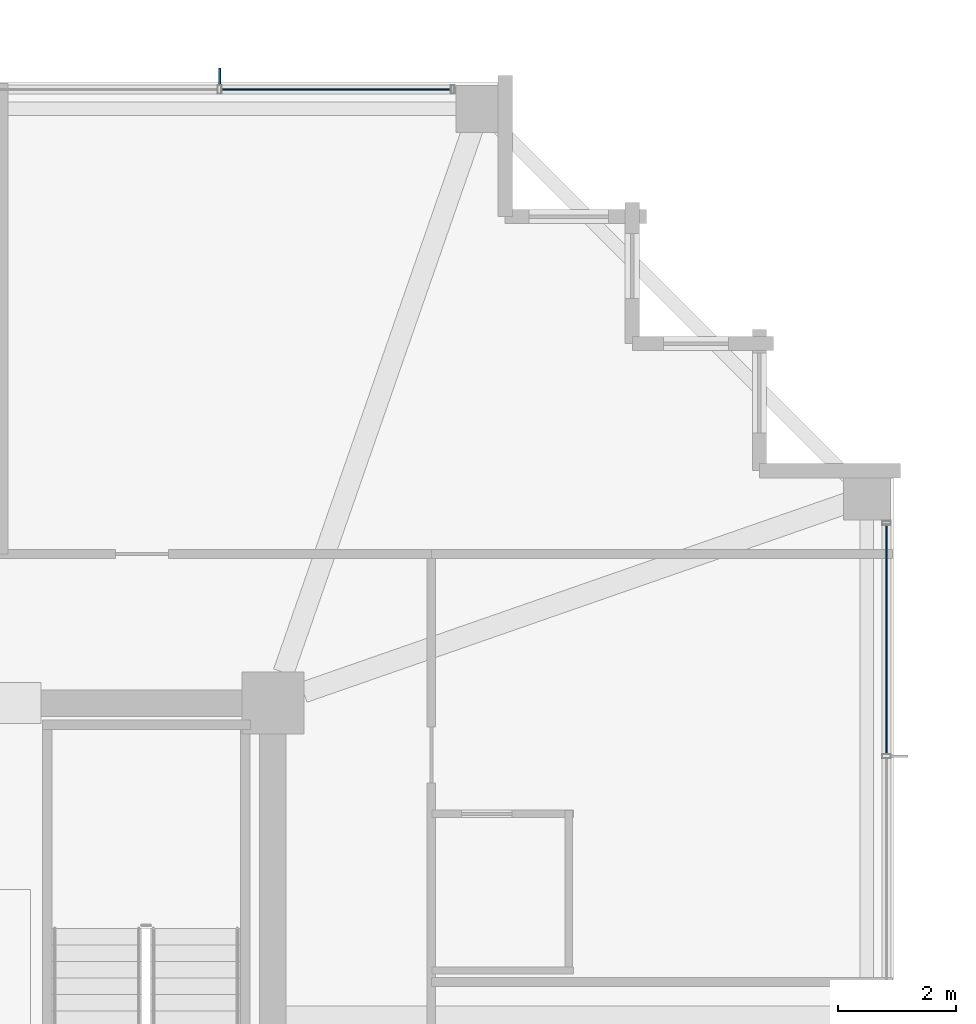
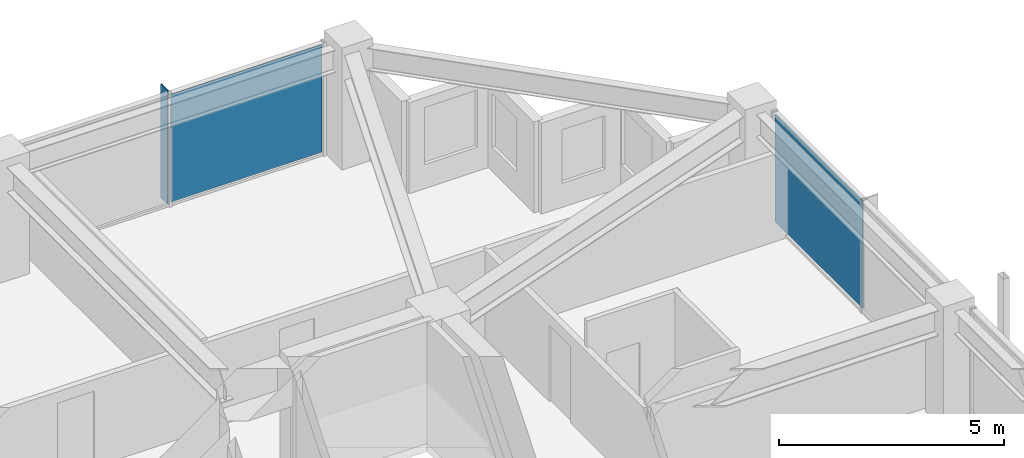
# One storey, part 26 of 33: 3 plates, 2 elements without a shape of their own.
"""IFC4 building model written with IfcOpenShell, lengths in metres."""

from ifc_helpers import new_model, si_unit, direction, frame, origin, origin_2d, place, context, subcontext, project, spatial, rectangle, extrude, material, layer, layer_set, type_object, element, aggregate, save


model = new_model("IFC4")

# Units and contexts
model_context = context("Model", 3, precision=1e-05, world=origin(), true_north=direction((0.0, 1.0)))
body_context = subcontext(model_context, "Body", "Model", "MODEL_VIEW")
ifc_project = project(units=[si_unit("LENGTHUNIT", "METRE"), si_unit("AREAUNIT", "SQUARE_METRE"), si_unit("VOLUMEUNIT", "CUBIC_METRE"), si_unit("PLANEANGLEUNIT", "RADIAN"), si_unit("MASSUNIT", "GRAM", prefix="KILO")], contexts=[model_context])

# Site, building, storey
site_placement = place(None, origin())
site = spatial("IfcSite", under=ifc_project, at=site_placement, CompositionType="ELEMENT")
building_placement = place(site_placement, origin())
building = spatial("IfcBuilding", under=site, at=building_placement, Name="Kolvaren Belvedere", CompositionType="ELEMENT")
storey_placement = place(building_placement, frame((0.0, 0.0, 209.699951171875)))
storey = spatial("IfcBuildingStorey", under=building, at=storey_placement, Name="L61", CompositionType="ELEMENT", Elevation=209.699951171875)

# Curtain wall, plate
ifc_material_1 = material(Name="Anodised pale-metal aluminium AA 6063-T6", Category="aluminium")
curtain_wall_type = type_object("IfcCurtainWallType", Name="CW-Z5-HIGH", PredefinedType="NOTDEFINED", material=ifc_material_1)
curtain_wall_1_placement = place(storey_placement, origin())
curtain_wall_1 = element("IfcCurtainWall", 1, at=curtain_wall_1_placement, inside=storey, type_object=curtain_wall_type, Name="L61 Unitised Curtain Wall FCW-L61-E-B1", PredefinedType="NOTDEFINED")
ifc_material_2 = material(Name="Low-iron triple insulated glass", Category="glass")
ifc_layer_1 = layer(ifc_material_2, 0.028076171875)
ifc_layer_set_1 = layer_set([ifc_layer_1], Name="Low-iron triple insulated glass")
plate_type_1 = type_object("IfcPlateType", Name="CW-PNL-VIS28", PredefinedType="CURTAIN_PANEL", material=ifc_layer_set_1)
plate_1_placement = place(storey_placement, frame((20.280029296875, 10.972412109375, 0.080078125), z_axis=(0.0, 0.0, 1.0), x_axis=(0.0, -1.0, 0.0)))
plate_1 = element("IfcPlate", 2, at=plate_1_placement, type_object=plate_type_1, Name="FCW-L61-E-B1 Vision Glazing Panel 1", PredefinedType="CURTAIN_PANEL", context=body_context, shape_type="SweptSolid", body=[
    extrude(rectangle(XDim=3.864990234375, YDim=0.028076171875, at=origin_2d()), origin(), (0.0, 0.0, 1.0), 2.919921875),
])
aggregate(curtain_wall_1, [plate_1])

curtain_wall_2_placement = place(storey_placement, origin())
curtain_wall_2 = element("IfcCurtainWall", 3, at=curtain_wall_2_placement, inside=storey, type_object=curtain_wall_type, Name="L61 Unitised Curtain Wall FCW-L61-N-B3", PredefinedType="NOTDEFINED")
plate_2_placement = place(storey_placement, frame((10.972412109375, 20.280029296875, 0.080078125), z_axis=(0.0, 0.0, 1.0), x_axis=(1.0, 0.0, 0.0)))
plate_2 = element("IfcPlate", 4, at=plate_2_placement, type_object=plate_type_1, Name="FCW-L61-N-B3 Vision Glazing Panel 2", PredefinedType="CURTAIN_PANEL", context=body_context, shape_type="SweptSolid", body=[
    extrude(rectangle(XDim=3.864990234375, YDim=0.028076171875, at=origin_2d()), origin(), (0.0, 0.0, 1.0), 2.919921875),
])
aggregate(curtain_wall_2, [plate_2])

# Plate
ifc_material_3 = material(Name="Anodised pale-metal aluminium AA 6063-T6", Category="aluminium")
ifc_layer_2 = layer(ifc_material_3, 0.030029296875)
ifc_layer_set_2 = layer_set([ifc_layer_2], Name="Anodised pale-metal aluminium AA 6063-T6")
plate_type_2 = type_object("IfcPlateType", Name="FIN-VERT-300", PredefinedType="USERDEFINED", material=ifc_layer_set_2)
plate_3_placement = place(storey_placement, frame((9.0, 20.489990234375, 0.0), z_axis=(0.0, 0.0, 1.0), x_axis=(0.0, 1.0, 0.0)))
element("IfcPlate", 5, at=plate_3_placement, inside=storey, type_object=plate_type_2, Name="L61 Pale-Metal Vertical Shading Fin FCW-L61-N-B3-1", ObjectType="VERTICAL FIN", PredefinedType="USERDEFINED", context=body_context, shape_type="SweptSolid", body=[
    extrude(rectangle(XDim=0.300048828125, YDim=0.030029296875, at=origin_2d()), origin(), (0.0, 0.0, 1.0), 3.080078125),
])

save(model, "model.ifc")
